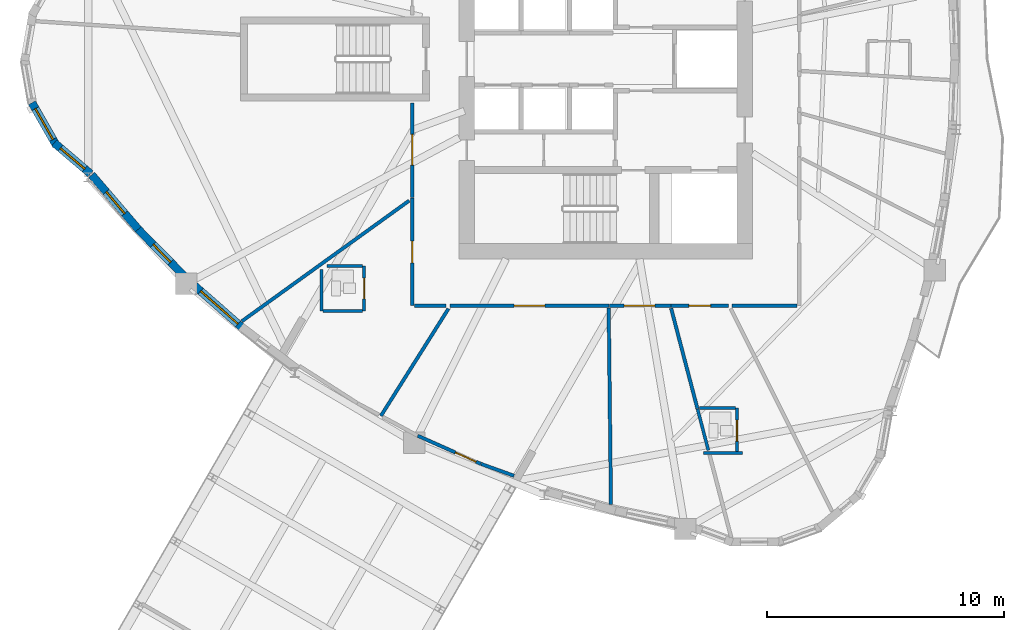
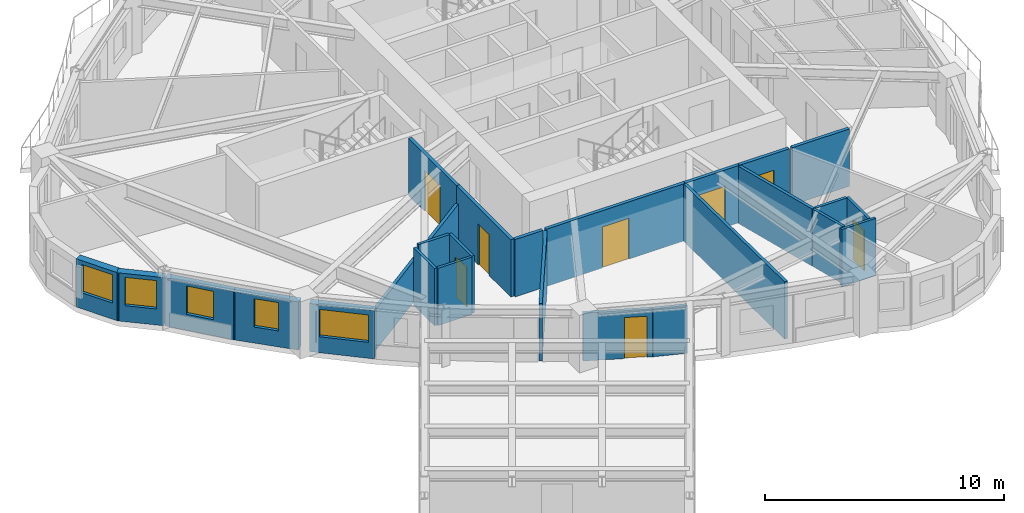
# One storey, part 5 of 17: 26 walls, 8 doors, 5 windows, 13 openings.
"""IFC4 building model written with IfcOpenShell, lengths in metres."""

from ifc_helpers import new_model, si_unit, direction, frame, frame_2d, origin, place, context, subcontext, project, spatial, rectangle, extrude, source, transform, mapped, material, layer, layer_set, type_object, element, fill, save


model = new_model("IFC4")

# Units and contexts
model_context = context("Model", 3, precision=1e-05, world=origin(), true_north=direction((0.0, 1.0)))
body_context = subcontext(model_context, "Body", "Model", "MODEL_VIEW")
ifc_project = project(units=[si_unit("LENGTHUNIT", "METRE"), si_unit("AREAUNIT", "SQUARE_METRE"), si_unit("VOLUMEUNIT", "CUBIC_METRE"), si_unit("PLANEANGLEUNIT", "RADIAN"), si_unit("MASSUNIT", "GRAM", prefix="KILO")], contexts=[model_context])

# Site, building, storey
site_placement = place(None, origin())
site = spatial("IfcSite", under=ifc_project, at=site_placement, CompositionType="ELEMENT")
building_placement = place(site_placement, origin())
building = spatial("IfcBuilding", under=site, at=building_placement, Name="Qafzar Sky-Pleat Residences", CompositionType="ELEMENT")
storey_placement = place(building_placement, frame((0.0, 0.0, 112.0)))
storey = spatial("IfcBuildingStorey", under=building, at=storey_placement, Name="L33", CompositionType="ELEMENT", Elevation=112.0)

# Wall, opening, door
ifc_material_1 = material(Name="Acoustic gypsum plasterboard partition", Category="gypsum")
ifc_layer_1 = layer(ifc_material_1, 0.159912109375)
ifc_layer_set_1 = layer_set([ifc_layer_1], Name="Acoustic gypsum plasterboard partition")
wall_type_1 = type_object("IfcWallType", Name="PART-COR-160", PredefinedType="PARTITIONING", material=ifc_layer_set_1)
wall_1_placement = place(storey_placement, frame((30.486083984375, 15.570068359375, 0.0), z_axis=(0.0, 0.0, 1.0), x_axis=(-1.0, 0.0, 0.0)))
wall_1 = element("IfcWall", 1, at=wall_1_placement, inside=storey, type_object=wall_type_1, Name="L33 Partition Wall PART-L33-PW-002", PredefinedType="PARTITIONING", context=body_context, shape_type="SweptSolid", body=[
    extrude(rectangle(XDim=6.72509765625, YDim=0.159912109375, at=frame_2d((3.362548828125, 0.0))), origin(), (0.0, 0.0, 1.0), 2.93505859375),
])
opening_1_placement = place(wall_1_placement, frame((2.71142578125, 0.0, 0.0)))
opening_1 = element("IfcOpeningElement", 2, at=opening_1_placement, cuts=wall_1, Name="Opening ID-05", PredefinedType="OPENING", context=body_context, shape_type="SweptSolid", body=[
    extrude(rectangle(XDim=1.300048828125, YDim=2.10009765625, at=frame_2d((0.64990234375, 1.050048828125))), frame((0.0, 0.08984375, 0.0), z_axis=(0.0, -1.0, 0.0), x_axis=(1.0, 0.0, 0.0)), (0.0, 0.0, 1.0), 0.179931640625),
])
ifc_material_2 = material(Name="Timber-faced fire door", Category="wood")
door_type_1 = type_object("IfcDoorType", Name="DR-LNG-1300", OperationType="DOUBLE_DOOR_SINGLE_SWING", PredefinedType="DOOR", material=ifc_material_2)
shared_shape_1 = source(origin(), body_context, "Body", "SweptSolid", [
    extrude(rectangle(XDim=1.300048828125, YDim=2.10009765625, at=frame_2d((0.64990234375, 1.050048828125))), frame((0.0, 0.02490234375, 0.0), z_axis=(0.0, -1.0, 0.0), x_axis=(1.0, 0.0, 0.0)), (0.0, 0.0, 1.0), 0.050048828125),
])
door_1_placement = place(opening_1_placement, origin())
door_1 = element("IfcDoor", 3, at=door_1_placement, inside=storey, type_object=door_type_1, Name="L33 Co-Living Lounge Door", OperationType="DOUBLE_DOOR_SINGLE_SWING", OverallHeight=2.10009765625, OverallWidth=1.300048828125, PredefinedType="DOOR", context=body_context, shape_type="MappedRepresentation", body=[
    mapped(shared_shape_1, transform((0.0, 0.0, 0.0), x_axis=(1.0, 0.0, 0.0), y_axis=(0.0, 1.0, 0.0), z_axis=(0.0, 0.0, 1.0), scale=1.0)),
])
fill(opening_1, door_1)

wall_2_placement = place(storey_placement, frame((22.169921875, 15.570068359375, 0.0), z_axis=(0.0, 0.0, 1.0), x_axis=(0.0, 1.0, 0.0)))
wall_2 = element("IfcWall", 4, at=wall_2_placement, inside=storey, type_object=wall_type_1, Name="L33 Partition Wall PART-L33-PW-005", PredefinedType="PARTITIONING", context=body_context, shape_type="SweptSolid", body=[
    extrude(rectangle(XDim=4.554931640625, YDim=0.159912109375, at=frame_2d((2.27734375, 0.0))), origin(), (0.0, 0.0, 1.0), 2.93505859375),
])
opening_2_placement = place(wall_2_placement, frame((1.80810546875, 0.0, 0.0)))
opening_2 = element("IfcOpeningElement", 5, at=opening_2_placement, cuts=wall_2, Name="Opening ID-04", PredefinedType="OPENING", context=body_context, shape_type="SweptSolid", body=[
    extrude(rectangle(XDim=0.919921875, YDim=2.10009765625, at=frame_2d((0.4599609375, 1.050048828125))), frame((0.0, 0.08984375, 0.0), z_axis=(0.0, -1.0, 0.0), x_axis=(1.0, 0.0, 0.0)), (0.0, 0.0, 1.0), 0.179931640625),
])
door_type_2 = type_object("IfcDoorType", Name="DR-BED-920", OperationType="NOTDEFINED", PredefinedType="DOOR", material=ifc_material_2)
shared_shape_2 = source(origin(), body_context, "Body", "SweptSolid", [
    extrude(rectangle(XDim=0.919921875, YDim=2.10009765625, at=frame_2d((0.4599609375, 1.050048828125))), frame((0.0, 0.02490234375, 0.0), z_axis=(0.0, -1.0, 0.0), x_axis=(1.0, 0.0, 0.0)), (0.0, 0.0, 1.0), 0.050048828125),
])
door_2_placement = place(opening_2_placement, origin())
door_2 = element("IfcDoor", 6, at=door_2_placement, inside=storey, type_object=door_type_2, Name="L33 Co-Living Bedroom 7 Door", OperationType="SINGLE_SWING_RIGHT", OverallHeight=2.10009765625, OverallWidth=0.919921875, PredefinedType="DOOR", context=body_context, shape_type="MappedRepresentation", body=[
    mapped(shared_shape_2, transform((0.0, 0.0, 0.0), x_axis=(1.0, 0.0, 0.0), y_axis=(0.0, 1.0, 0.0), z_axis=(0.0, 0.0, 1.0), scale=1.0)),
])
fill(opening_2, door_2)

wall_3_placement = place(storey_placement, frame((22.169921875, 20.139892578125, 0.0), z_axis=(0.0, 0.0, 1.0), x_axis=(0.0, 1.0, 0.0)))
wall_3 = element("IfcWall", 7, at=wall_3_placement, inside=storey, type_object=wall_type_1, Name="L33 Partition Wall PART-L33-PW-006", PredefinedType="PARTITIONING", context=body_context, shape_type="SweptSolid", body=[
    extrude(rectangle(XDim=4.010009765625, YDim=0.159912109375, at=frame_2d((2.0048828125, 0.0))), origin(), (0.0, 0.0, 1.0), 2.93505859375),
])
opening_3_placement = place(wall_3_placement, frame((1.37548828125, 0.0, 0.0)))
opening_3 = element("IfcOpeningElement", 8, at=opening_3_placement, cuts=wall_3, Name="Opening ID-05", PredefinedType="OPENING", context=body_context, shape_type="SweptSolid", body=[
    extrude(rectangle(XDim=1.300048828125, YDim=2.10009765625, at=frame_2d((0.64990234375, 1.050048828125))), frame((0.0, 0.08984375, 0.0), z_axis=(0.0, -1.0, 0.0), x_axis=(1.0, 0.0, 0.0)), (0.0, 0.0, 1.0), 0.179931640625),
])
door_3_placement = place(opening_3_placement, origin())
door_3 = element("IfcDoor", 9, at=door_3_placement, inside=storey, type_object=door_type_1, Name="L33 Academic Seminar Room Door", OperationType="DOUBLE_DOOR_SINGLE_SWING", OverallHeight=2.10009765625, OverallWidth=1.300048828125, PredefinedType="DOOR", context=body_context, shape_type="MappedRepresentation", body=[
    mapped(shared_shape_1, transform((0.0, 0.0, 0.0), x_axis=(1.0, 0.0, 0.0), y_axis=(0.0, 1.0, 0.0), z_axis=(0.0, 0.0, 1.0), scale=1.0)),
])
fill(opening_3, door_3)

wall_4_placement = place(storey_placement, frame((33.09912109375, 15.570068359375, 0.0), z_axis=(0.0, 0.0, 1.0), x_axis=(-1.0, 0.0, 0.0)))
wall_4 = element("IfcWall", 10, at=wall_4_placement, inside=storey, type_object=wall_type_1, Name="L33 Partition Wall PART-L33-PW-010", PredefinedType="PARTITIONING", context=body_context, shape_type="SweptSolid", body=[
    extrude(rectangle(XDim=2.59814453125, YDim=0.159912109375, at=frame_2d((1.299072265625, 0.0))), origin(), (0.0, 0.0, 1.0), 2.93505859375),
])
opening_4_placement = place(wall_4_placement, frame((0.67138671875, 0.0, 0.0)))
opening_4 = element("IfcOpeningElement", 11, at=opening_4_placement, cuts=wall_4, Name="Opening ID-05", PredefinedType="OPENING", context=body_context, shape_type="SweptSolid", body=[
    extrude(rectangle(XDim=1.300048828125, YDim=2.10009765625, at=frame_2d((0.64990234375, 1.050048828125))), frame((0.0, 0.08984375, 0.0), z_axis=(0.0, -1.0, 0.0), x_axis=(1.0, 0.0, 0.0)), (0.0, 0.0, 1.0), 0.179931640625),
])
door_4_placement = place(opening_4_placement, origin())
door_4 = element("IfcDoor", 12, at=door_4_placement, inside=storey, type_object=door_type_1, Name="L33 Communal Kitchen Door", OperationType="DOUBLE_DOOR_SINGLE_SWING", OverallHeight=2.10009765625, OverallWidth=1.300048828125, PredefinedType="DOOR", context=body_context, shape_type="MappedRepresentation", body=[
    mapped(shared_shape_1, transform((0.0, 0.0, 0.0), x_axis=(1.0, 0.0, 0.0), y_axis=(0.0, 1.0, 0.0), z_axis=(0.0, 0.0, 1.0), scale=1.0)),
])
fill(opening_4, door_4)

wall_5_placement = place(storey_placement, frame((35.535888671875, 15.570068359375, 0.0), z_axis=(0.0, 0.0, 1.0), x_axis=(-1.0, 0.0, 0.0)))
wall_5 = element("IfcWall", 13, at=wall_5_placement, inside=storey, type_object=wall_type_1, Name="L33 Partition Wall PART-L33-PW-013", PredefinedType="PARTITIONING", context=body_context, shape_type="SweptSolid", body=[
    extrude(rectangle(XDim=2.421875, YDim=0.159912109375, at=frame_2d((1.2109375, 0.0))), origin(), (0.0, 0.0, 1.0), 2.93505859375),
])
opening_5_placement = place(wall_5_placement, frame((0.75, 0.0, 0.0)))
opening_5 = element("IfcOpeningElement", 14, at=opening_5_placement, cuts=wall_5, Name="Opening ID-04", PredefinedType="OPENING", context=body_context, shape_type="SweptSolid", body=[
    extrude(rectangle(XDim=0.919921875, YDim=2.10009765625, at=frame_2d((0.4599609375, 1.050048828125))), frame((0.0, 0.08984375, 0.0), z_axis=(0.0, -1.0, 0.0), x_axis=(1.0, 0.0, 0.0)), (0.0, 0.0, 1.0), 0.179931640625),
])
door_5_placement = place(opening_5_placement, origin())
door_5 = element("IfcDoor", 15, at=door_5_placement, inside=storey, type_object=door_type_2, Name="L33 Co-Living Bedroom 8 Door", OperationType="SINGLE_SWING_RIGHT", OverallHeight=2.10009765625, OverallWidth=0.919921875, PredefinedType="DOOR", context=body_context, shape_type="MappedRepresentation", body=[
    mapped(shared_shape_2, transform((0.0, 0.0, 0.0), x_axis=(1.0, 0.0, 0.0), y_axis=(0.0, 1.0, 0.0), z_axis=(0.0, 0.0, 1.0), scale=1.0)),
])
fill(opening_5, door_5)

# Walls
wall_6_placement = place(storey_placement, frame((35.68017578125, 15.570068359375, 0.0), z_axis=(0.0, 0.0, 1.0), x_axis=(1.0, 0.0, 0.0)))
element("IfcWall", 16, at=wall_6_placement, inside=storey, type_object=wall_type_1, Name="L33 Partition Wall PART-L33-PW-051", PredefinedType="PARTITIONING", context=body_context, shape_type="SweptSolid", body=[
    extrude(rectangle(XDim=2.76171875, YDim=0.159912109375, at=frame_2d((1.380859375, 0.0))), origin(), (0.0, 0.0, 1.0), 2.93505859375),
])
wall_7_placement = place(storey_placement, frame((22.258056640625, 15.570068359375, 0.0), z_axis=(0.0, 0.0, 1.0), x_axis=(1.0, 0.0, 0.0)))
element("IfcWall", 17, at=wall_7_placement, inside=storey, type_object=wall_type_1, Name="L33 Partition Wall PART-L33-PW-070", PredefinedType="PARTITIONING", context=body_context, shape_type="SweptSolid", body=[
    extrude(rectangle(XDim=1.34375, YDim=0.159912109375, at=frame_2d((0.671875, 0.0))), origin(), (0.0, 0.0, 1.0), 2.93505859375),
])

# Wall, opening, door
ifc_layer_2 = layer(ifc_material_1, 0.14501953125)
ifc_layer_set_2 = layer_set([ifc_layer_2], Name="Acoustic gypsum plasterboard partition")
wall_type_2 = type_object("IfcWallType", Name="PART-UNIT-145", PredefinedType="PARTITIONING", material=ifc_layer_set_2)
wall_8_placement = place(storey_placement, frame((25.071044921875, 8.884033203125, 0.0), z_axis=(0.0, 0.0, 1.0), x_axis=(-0.913404708383, 0.407052623997, 0.0)))
wall_8 = element("IfcWall", 18, at=wall_8_placement, inside=storey, type_object=wall_type_2, Name="L33 Partition Wall PART-L33-PW-008", PredefinedType="PARTITIONING", context=body_context, shape_type="SweptSolid", body=[
    extrude(rectangle(XDim=2.92333984375, YDim=0.14501953125, at=frame_2d((1.461669921875, 0.0))), origin(), (0.0, 0.0, 1.0), 2.452880859375),
])
opening_6_placement = place(wall_8_placement, frame((0.219970703125, 0.0, 0.0)))
opening_6 = element("IfcOpeningElement", 19, at=opening_6_placement, cuts=wall_8, Name="Opening ID-06", PredefinedType="OPENING", context=body_context, shape_type="SweptSolid", body=[
    extrude(rectangle(XDim=0.9599609375, YDim=2.10009765625, at=frame_2d((0.47998046875, 1.050048828125))), frame((0.0, 0.08251953125, 0.0), z_axis=(0.0, -1.0, 0.0), x_axis=(1.0, 0.0, 0.0)), (0.0, 0.0, 1.0), 0.1650390625),
])
door_type_3 = type_object("IfcDoorType", Name="DR-STD-960", OperationType="NOTDEFINED", PredefinedType="DOOR", material=ifc_material_2)
shared_shape_3 = source(origin(), body_context, "Body", "SweptSolid", [
    extrude(rectangle(XDim=0.9599609375, YDim=2.10009765625, at=frame_2d((0.47998046875, 1.050048828125))), frame((0.0, 0.02490234375, 0.0), z_axis=(0.0, -1.0, 0.0), x_axis=(1.0, 0.0, 0.0)), (0.0, 0.0, 1.0), 0.050048828125),
])
door_6_placement = place(opening_6_placement, origin())
door_6 = element("IfcDoor", 20, at=door_6_placement, inside=storey, type_object=door_type_3, Name="L33 Sky-Bar Reading Library Door", OperationType="SINGLE_SWING_RIGHT", OverallHeight=2.10009765625, OverallWidth=0.9599609375, PredefinedType="DOOR", context=body_context, shape_type="MappedRepresentation", body=[
    mapped(shared_shape_3, transform((0.0, 0.0, 0.0), x_axis=(1.0, 0.0, 0.0), y_axis=(0.0, 1.0, 0.0), z_axis=(0.0, 0.0, 1.0), scale=1.0)),
])
fill(opening_6, door_6)

# Walls
wall_9_placement = place(storey_placement, frame((14.96630859375, 14.915283203125, 0.0), z_axis=(0.0, 0.0, 1.0), x_axis=(0.811310715309, 0.584615192434, 0.0)))
element("IfcWall", 21, at=wall_9_placement, inside=storey, type_object=wall_type_2, Name="L33 Partition Wall PART-L33-PW-036", PredefinedType="PARTITIONING", context=body_context, shape_type="SweptSolid", body=[
    extrude(rectangle(XDim=8.72021484375, YDim=0.14501953125, at=frame_2d((4.360107421875, 0.0))), origin(), (0.0, 0.0, 1.0), 2.10302734375),
])
wall_10_placement = place(storey_placement, frame((30.471923828125, 15.481201171875, 0.0), z_axis=(0.0, 0.0, 1.0), x_axis=(0.011623708307, -0.999932442421, 0.0)))
element("IfcWall", 22, at=wall_10_placement, inside=storey, type_object=wall_type_2, Name="L33 Partition Wall PART-L33-PW-038", PredefinedType="PARTITIONING", context=body_context, shape_type="SweptSolid", body=[
    extrude(rectangle(XDim=8.3173828125, YDim=0.14501953125, at=frame_2d((4.15869140625, 0.0))), origin(), (0.0, 0.0, 1.0), 2.93505859375),
])
wall_11_placement = place(storey_placement, frame((20.844970703125, 10.9140625, 0.0), z_axis=(0.0, 0.0, 1.0), x_axis=(0.533007953382, 0.846110230189, 0.0)))
element("IfcWall", 23, at=wall_11_placement, inside=storey, type_object=wall_type_2, Name="L33 Partition Wall PART-L33-PW-044", PredefinedType="PARTITIONING", context=body_context, shape_type="SweptSolid", body=[
    extrude(rectangle(XDim=5.3544921875, YDim=0.14501953125, at=frame_2d((2.67724609375, 0.0))), origin(), (0.0, 0.0, 1.0), 2.93505859375),
])
wall_12_placement = place(storey_placement, frame((33.11181640625, 15.4638671875, 0.0), z_axis=(0.0, 0.0, 1.0), x_axis=(0.253558008984, -0.967320182814, 0.0)))
element("IfcWall", 24, at=wall_12_placement, inside=storey, type_object=wall_type_2, Name="L33 Partition Wall PART-L33-PW-045", PredefinedType="PARTITIONING", context=body_context, shape_type="SweptSolid", body=[
    extrude(rectangle(XDim=4.382080078125, YDim=0.14501953125, at=frame_2d((2.19091796875, 0.0))), origin(), (0.0, 0.0, 1.0), 2.93505859375),
])
wall_13_placement = place(storey_placement, frame((25.085205078125, 8.87890625, 0.0), z_axis=(0.0, 0.0, 1.0), x_axis=(0.941166260093, -0.337943887151, 0.0)))
element("IfcWall", 25, at=wall_13_placement, inside=storey, type_object=wall_type_2, Name="L33 Partition Wall PART-L33-PW-076", PredefinedType="PARTITIONING", context=body_context, shape_type="SweptSolid", body=[
    extrude(rectangle(XDim=1.4716796875, YDim=0.14501953125, at=frame_2d((0.73583984375, 0.0))), origin(), (0.0, 0.0, 1.0), 2.452880859375),
])

# Wall, opening, door
ifc_material_3 = material(Name="Moisture-resistant gypsum partition", Category="gypsum")
ifc_layer_3 = layer(ifc_material_3, 0.1298828125)
ifc_layer_set_3 = layer_set([ifc_layer_3], Name="Moisture-resistant gypsum partition")
wall_type_3 = type_object("IfcWallType", Name="PART-WET-130", PredefinedType="PARTITIONING", material=ifc_layer_set_3)
wall_14_placement = place(storey_placement, frame((20.133056640625, 15.35107421875, 0.0), z_axis=(0.0, 0.0, 1.0), x_axis=(0.0, 1.0, 0.0)))
wall_14 = element("IfcWall", 26, at=wall_14_placement, inside=storey, type_object=wall_type_3, Name="L33 Partition Wall PART-L33-PW-020", PredefinedType="PARTITIONING", context=body_context, shape_type="SweptSolid", body=[
    extrude(rectangle(XDim=1.89990234375, YDim=0.1298828125, at=frame_2d((0.949951171875, 0.0))), origin(), (0.0, 0.0, 1.0), 2.93505859375),
])
opening_7_placement = place(wall_14_placement, frame((0.510009765625, 0.0, 0.0)))
opening_7 = element("IfcOpeningElement", 27, at=opening_7_placement, cuts=wall_14, Name="Opening ID-07", PredefinedType="OPENING", context=body_context, shape_type="SweptSolid", body=[
    extrude(rectangle(XDim=0.8798828125, YDim=2.050048828125, at=frame_2d((0.43994140625, 1.02490234375))), frame((0.0, 0.074951171875, 0.0), z_axis=(0.0, -1.0, 0.0), x_axis=(1.0, 0.0, 0.0)), (0.0, 0.0, 1.0), 0.14990234375),
])
door_type_4 = type_object("IfcDoorType", Name="DR-WET-880", OperationType="NOTDEFINED", PredefinedType="DOOR", material=ifc_material_2)
shared_shape_4 = source(origin(), body_context, "Body", "SweptSolid", [
    extrude(rectangle(XDim=0.8798828125, YDim=2.050048828125, at=frame_2d((0.43994140625, 1.02490234375))), frame((0.0, 0.02490234375, 0.0), z_axis=(0.0, -1.0, 0.0), x_axis=(1.0, 0.0, 0.0)), (0.0, 0.0, 1.0), 0.050048828125),
])
door_7_placement = place(opening_7_placement, origin())
door_7 = element("IfcDoor", 28, at=door_7_placement, inside=storey, type_object=door_type_4, Name="L33 En-suite Bathroom 7 Door", OperationType="SINGLE_SWING_RIGHT", OverallHeight=2.050048828125, OverallWidth=0.8798828125, PredefinedType="DOOR", context=body_context, shape_type="MappedRepresentation", body=[
    mapped(shared_shape_4, transform((0.0, 0.0, 0.0), x_axis=(1.0, 0.0, 0.0), y_axis=(0.0, 1.0, 0.0), z_axis=(0.0, 0.0, 1.0), scale=1.0)),
])
fill(opening_7, door_7)

wall_15_placement = place(storey_placement, frame((35.89892578125, 9.4130859375, 0.0), z_axis=(0.0, 0.0, 1.0), x_axis=(0.0, 1.0, 0.0)))
wall_15 = element("IfcWall", 29, at=wall_15_placement, inside=storey, type_object=wall_type_3, Name="L33 Partition Wall PART-L33-PW-021", PredefinedType="PARTITIONING", context=body_context, shape_type="SweptSolid", body=[
    extrude(rectangle(XDim=1.826904296875, YDim=0.1298828125, at=frame_2d((0.91357421875, 0.0))), origin(), (0.0, 0.0, 1.0), 2.93505859375),
])
opening_8_placement = place(wall_15_placement, frame((0.43701171875, 0.0, 0.0)))
opening_8 = element("IfcOpeningElement", 30, at=opening_8_placement, cuts=wall_15, Name="Opening ID-07", PredefinedType="OPENING", context=body_context, shape_type="SweptSolid", body=[
    extrude(rectangle(XDim=0.8798828125, YDim=2.050048828125, at=frame_2d((0.43994140625, 1.02490234375))), frame((0.0, 0.074951171875, 0.0), z_axis=(0.0, -1.0, 0.0), x_axis=(1.0, 0.0, 0.0)), (0.0, 0.0, 1.0), 0.14990234375),
])
door_8_placement = place(opening_8_placement, origin())
door_8 = element("IfcDoor", 31, at=door_8_placement, inside=storey, type_object=door_type_4, Name="L33 En-suite Bathroom 8 Door", OperationType="SINGLE_SWING_LEFT", OverallHeight=2.050048828125, OverallWidth=0.8798828125, PredefinedType="DOOR", context=body_context, shape_type="MappedRepresentation", body=[
    mapped(shared_shape_4, transform((0.0, 0.0, 0.0), x_axis=(1.0, 0.0, 0.0), y_axis=(0.0, 1.0, 0.0), z_axis=(0.0, 0.0, 1.0), scale=1.0)),
])
fill(opening_8, door_8)

# Walls
wall_16_placement = place(storey_placement, frame((34.226806640625, 11.21044921875, 0.0), z_axis=(0.0, 0.0, 1.0), x_axis=(0.2534645297, -0.967344681168, 0.0)))
element("IfcWall", 32, at=wall_16_placement, inside=storey, type_object=wall_type_3, Name="L33 Partition Wall PART-L33-PW-055", PredefinedType="PARTITIONING", context=body_context, shape_type="SweptSolid", body=[
    extrude(rectangle(XDim=1.810791015625, YDim=0.1298828125, at=frame_2d((0.9052734375, 0.0))), origin(), (0.0, 0.0, 1.0), 2.93505859375),
])
wall_17_placement = place(storey_placement, frame((18.3330078125, 15.35107421875, 0.0), z_axis=(0.0, 0.0, 1.0), x_axis=(0.0, 1.0, 0.0)))
element("IfcWall", 33, at=wall_17_placement, inside=storey, type_object=wall_type_3, Name="L33 Partition Wall PART-L33-PW-056", PredefinedType="PARTITIONING", context=body_context, shape_type="SweptSolid", body=[
    extrude(rectangle(XDim=1.755615234375, YDim=0.1298828125, at=frame_2d((0.8779296875, 0.0))), origin(), (0.0, 0.0, 1.0), 2.93505859375),
])
wall_18_placement = place(storey_placement, frame((18.55517578125, 17.2509765625, 0.0), z_axis=(0.0, 0.0, 1.0), x_axis=(1.0, 0.0, 0.0)))
element("IfcWall", 34, at=wall_18_placement, inside=storey, type_object=wall_type_3, Name="L33 Partition Wall PART-L33-PW-059", PredefinedType="PARTITIONING", context=body_context, shape_type="SweptSolid", body=[
    extrude(rectangle(XDim=1.5048828125, YDim=0.1298828125, at=frame_2d((0.75244140625, 0.0))), origin(), (0.0, 0.0, 1.0), 2.93505859375),
])
wall_19_placement = place(storey_placement, frame((18.406005859375, 15.35107421875, 0.0), z_axis=(0.0, 0.0, 1.0), x_axis=(1.0, 0.0, 0.0)))
element("IfcWall", 35, at=wall_19_placement, inside=storey, type_object=wall_type_3, Name="L33 Partition Wall PART-L33-PW-060", PredefinedType="PARTITIONING", context=body_context, shape_type="SweptSolid", body=[
    extrude(rectangle(XDim=1.654052734375, YDim=0.1298828125, at=frame_2d((0.8271484375, 0.0))), origin(), (0.0, 0.0, 1.0), 2.93505859375),
])
wall_20_placement = place(storey_placement, frame((34.319091796875, 11.239990234375, 0.0), z_axis=(0.0, 0.0, 1.0), x_axis=(1.0, 0.0, 0.0)))
element("IfcWall", 36, at=wall_20_placement, inside=storey, type_object=wall_type_3, Name="L33 Partition Wall PART-L33-PW-069", PredefinedType="PARTITIONING", context=body_context, shape_type="SweptSolid", body=[
    extrude(rectangle(XDim=1.5068359375, YDim=0.1298828125, at=frame_2d((0.75341796875, 0.0))), origin(), (0.0, 0.0, 1.0), 2.93505859375),
])
wall_21_placement = place(storey_placement, frame((34.47705078125, 9.340087890625, 0.0), z_axis=(0.0, 0.0, 1.0), x_axis=(1.0, 0.0, 0.0)))
element("IfcWall", 37, at=wall_21_placement, inside=storey, type_object=wall_type_3, Name="L33 Partition Wall PART-L33-PW-083", PredefinedType="PARTITIONING", context=body_context, shape_type="SweptSolid", body=[
    extrude(rectangle(XDim=1.661865234375, YDim=0.1298828125, at=frame_2d((0.8310546875, 0.0))), origin(), (0.0, 0.0, 1.0), 2.93505859375),
])

# Wall, opening, window
ifc_material_4 = material(Name="Precast concrete C40/50 with honed Riyadh limestone", Category="concrete")
ifc_layer_4 = layer(ifc_material_4, 0.340087890625)
ifc_layer_set_4 = layer_set([ifc_layer_4], Name="Precast concrete C40/50 with honed Riyadh limestone")
wall_type_4 = type_object("IfcWallType", Name="WALL-EXT-340", PredefinedType="SOLIDWALL", material=ifc_layer_set_4)
wall_22_placement = place(storey_placement, frame((6.09228515625, 24.150146484375, 0.0), z_axis=(0.0, 0.0, 1.0), x_axis=(0.496037473582, -0.868301114132, 0.0)))
wall_22 = element("IfcWall", 38, at=wall_22_placement, inside=storey, type_object=wall_type_4, Name="L33 Limestone Facade Wall 5", PredefinedType="SOLIDWALL", context=body_context, shape_type="SweptSolid", body=[
    extrude(rectangle(XDim=2.072998046875, YDim=0.340087890625, at=frame_2d((1.03662109375, 0.0))), origin(), (0.0, 0.0, 1.0), 2.465087890625),
])
opening_9_placement = place(wall_22_placement, frame((0.28662109375, 0.0, 0.820068359375)))
opening_9 = element("IfcOpeningElement", 39, at=opening_9_placement, cuts=wall_22, Name="Opening WN-03", PredefinedType="OPENING", context=body_context, shape_type="SweptSolid", body=[
    extrude(rectangle(XDim=1.5, YDim=1.449951171875, at=frame_2d((0.75, 0.72509765625))), frame((0.0, 0.18017578125, 0.0), z_axis=(0.0, -1.0, 0.0), x_axis=(1.0, 0.0, 0.0)), (0.0, 0.0, 1.0), 0.360107421875),
])
ifc_material_5 = material(Name="Solar-control low-E glass in bronze aluminium frame", Category="glass")
window_type_1 = type_object("IfcWindowType", Name="WIN-03", PartitioningType="DOUBLE_PANEL_VERTICAL", PredefinedType="WINDOW", material=ifc_material_5)
shared_shape_5 = source(origin(), body_context, "Body", "SweptSolid", [
    extrude(rectangle(XDim=1.5, YDim=1.449951171875, at=frame_2d((0.75, 0.72509765625))), frame((0.0, 0.030029296875, 0.0), z_axis=(0.0, -1.0, 0.0), x_axis=(1.0, 0.0, 0.0)), (0.0, 0.0, 1.0), 0.06005859375),
])
window_1_placement = place(opening_9_placement, origin())
window_1 = element("IfcWindow", 40, at=window_1_placement, inside=storey, type_object=window_type_1, Name="L33 Punched Facade Window 05", OverallHeight=1.449951171875, OverallWidth=1.5, PartitioningType="SINGLE_PANEL", PredefinedType="WINDOW", context=body_context, shape_type="MappedRepresentation", body=[
    mapped(shared_shape_5, transform((0.0, 0.0, 0.0), x_axis=(1.0, 0.0, 0.0), y_axis=(0.0, 1.0, 0.0), z_axis=(0.0, 0.0, 1.0), scale=1.0)),
])
fill(opening_9, window_1)

wall_23_placement = place(storey_placement, frame((7.035400390625, 22.452880859375, 0.0), z_axis=(0.0, 0.0, 1.0), x_axis=(0.76114353683, -0.648583469063, 0.0)))
wall_23 = element("IfcWall", 41, at=wall_23_placement, inside=storey, type_object=wall_type_4, Name="L33 Limestone Facade Wall 6", PredefinedType="SOLIDWALL", context=body_context, shape_type="SweptSolid", body=[
    extrude(rectangle(XDim=2.014892578125, YDim=0.340087890625, at=frame_2d((1.00732421875, 0.0))), origin(), (0.0, 0.0, 1.0), 2.465087890625),
])
opening_10_placement = place(wall_23_placement, frame((0.342529296875, 0.0, 0.820068359375)))
opening_10 = element("IfcOpeningElement", 42, at=opening_10_placement, cuts=wall_23, Name="Opening WN-04", PredefinedType="OPENING", context=body_context, shape_type="SweptSolid", body=[
    extrude(rectangle(XDim=1.35009765625, YDim=1.449951171875, at=frame_2d((0.675048828125, 0.72509765625))), frame((0.0, 0.18017578125, 0.0), z_axis=(0.0, -1.0, 0.0), x_axis=(1.0, 0.0, 0.0)), (0.0, 0.0, 1.0), 0.360107421875),
])
window_type_2 = type_object("IfcWindowType", Name="WIN-04", PartitioningType="SINGLE_PANEL", PredefinedType="WINDOW", material=ifc_material_5)
shared_shape_6 = source(origin(), body_context, "Body", "SweptSolid", [
    extrude(rectangle(XDim=1.35009765625, YDim=1.449951171875, at=frame_2d((0.675048828125, 0.72509765625))), frame((0.0, 0.030029296875, 0.0), z_axis=(0.0, -1.0, 0.0), x_axis=(1.0, 0.0, 0.0)), (0.0, 0.0, 1.0), 0.06005859375),
])
window_2_placement = place(opening_10_placement, origin())
window_2 = element("IfcWindow", 43, at=window_2_placement, inside=storey, type_object=window_type_2, Name="L33 Punched Facade Window 06", OverallHeight=1.449951171875, OverallWidth=1.35009765625, PartitioningType="SINGLE_PANEL", PredefinedType="WINDOW", context=body_context, shape_type="MappedRepresentation", body=[
    mapped(shared_shape_6, transform((0.0, 0.0, 0.0), x_axis=(1.0, 0.0, 0.0), y_axis=(0.0, 1.0, 0.0), z_axis=(0.0, 0.0, 1.0), scale=1.0)),
])
fill(opening_10, window_2)

wall_24_placement = place(storey_placement, frame((8.6162109375, 21.09912109375, 0.0), z_axis=(0.0, 0.0, 1.0), x_axis=(0.650713874475, -0.759323023203, 0.0)))
wall_24 = element("IfcWall", 44, at=wall_24_placement, inside=storey, type_object=wall_type_4, Name="L33 Limestone Facade Wall 7", PredefinedType="SOLIDWALL", context=body_context, shape_type="SweptSolid", body=[
    extrude(rectangle(XDim=3.11328125, YDim=0.340087890625, at=frame_2d((1.556640625, 0.0))), origin(), (0.0, 0.0, 1.0), 2.465087890625),
])
opening_11_placement = place(wall_24_placement, frame((0.94677734375, 0.0, 0.820068359375)))
opening_11 = element("IfcOpeningElement", 45, at=opening_11_placement, cuts=wall_24, Name="Opening WN-05", PredefinedType="OPENING", context=body_context, shape_type="SweptSolid", body=[
    extrude(rectangle(XDim=1.199951171875, YDim=1.449951171875, at=frame_2d((0.60009765625, 0.72509765625))), frame((0.0, 0.18017578125, 0.0), z_axis=(0.0, -1.0, 0.0), x_axis=(1.0, 0.0, 0.0)), (0.0, 0.0, 1.0), 0.360107421875),
])
window_type_3 = type_object("IfcWindowType", Name="WIN-05", PartitioningType="SINGLE_PANEL", PredefinedType="WINDOW", material=ifc_material_5)
shared_shape_7 = source(origin(), body_context, "Body", "SweptSolid", [
    extrude(rectangle(XDim=1.199951171875, YDim=1.449951171875, at=frame_2d((0.60009765625, 0.72509765625))), frame((0.0, 0.030029296875, 0.0), z_axis=(0.0, -1.0, 0.0), x_axis=(1.0, 0.0, 0.0)), (0.0, 0.0, 1.0), 0.06005859375),
])
window_3_placement = place(opening_11_placement, origin())
window_3 = element("IfcWindow", 46, at=window_3_placement, inside=storey, type_object=window_type_3, Name="L33 Punched Facade Window 07", OverallHeight=1.449951171875, OverallWidth=1.199951171875, PartitioningType="SINGLE_PANEL", PredefinedType="WINDOW", context=body_context, shape_type="MappedRepresentation", body=[
    mapped(shared_shape_7, transform((0.0, 0.0, 0.0), x_axis=(1.0, 0.0, 0.0), y_axis=(0.0, 1.0, 0.0), z_axis=(0.0, 0.0, 1.0), scale=1.0)),
])
fill(opening_11, window_3)

wall_25_placement = place(storey_placement, frame((10.582763671875, 18.7998046875, 0.0), z_axis=(0.0, 0.0, 1.0), x_axis=(0.701884352283, -0.712290920917, 0.0)))
wall_25 = element("IfcWall", 47, at=wall_25_placement, inside=storey, type_object=wall_type_4, Name="L33 Limestone Facade Wall 8", PredefinedType="SOLIDWALL", context=body_context, shape_type="SweptSolid", body=[
    extrude(rectangle(XDim=2.838623046875, YDim=0.340087890625, at=frame_2d((1.41943359375, 0.0))), origin(), (0.0, 0.0, 1.0), 2.465087890625),
])
opening_12_placement = place(wall_25_placement, frame((0.8994140625, 0.0, 0.820068359375)))
opening_12 = element("IfcOpeningElement", 48, at=opening_12_placement, cuts=wall_25, Name="Opening WN-06", PredefinedType="OPENING", context=body_context, shape_type="SweptSolid", body=[
    extrude(rectangle(XDim=1.050048828125, YDim=1.449951171875, at=frame_2d((0.52490234375, 0.72509765625))), frame((0.0, 0.18017578125, 0.0), z_axis=(0.0, -1.0, 0.0), x_axis=(1.0, 0.0, 0.0)), (0.0, 0.0, 1.0), 0.360107421875),
])
window_type_4 = type_object("IfcWindowType", Name="WIN-06", PartitioningType="SINGLE_PANEL", PredefinedType="WINDOW", material=ifc_material_5)
shared_shape_8 = source(origin(), body_context, "Body", "SweptSolid", [
    extrude(rectangle(XDim=1.050048828125, YDim=1.449951171875, at=frame_2d((0.52490234375, 0.72509765625))), frame((0.0, 0.030029296875, 0.0), z_axis=(0.0, -1.0, 0.0), x_axis=(1.0, 0.0, 0.0)), (0.0, 0.0, 1.0), 0.06005859375),
])
window_4_placement = place(opening_12_placement, origin())
window_4 = element("IfcWindow", 49, at=window_4_placement, inside=storey, type_object=window_type_4, Name="L33 Punched Facade Window 08", OverallHeight=1.449951171875, OverallWidth=1.050048828125, PartitioningType="SINGLE_PANEL", PredefinedType="WINDOW", context=body_context, shape_type="MappedRepresentation", body=[
    mapped(shared_shape_8, transform((0.0, 0.0, 0.0), x_axis=(1.0, 0.0, 0.0), y_axis=(0.0, 1.0, 0.0), z_axis=(0.0, 0.0, 1.0), scale=1.0)),
])
fill(opening_12, window_4)

wall_26_placement = place(storey_placement, frame((12.900634765625, 16.470703125, 0.0), z_axis=(0.0, 0.0, 1.0), x_axis=(0.751480442913, -0.659755366722, 0.0)))
wall_26 = element("IfcWall", 50, at=wall_26_placement, inside=storey, type_object=wall_type_4, Name="L33 Limestone Facade Wall 9", PredefinedType="SOLIDWALL", context=body_context, shape_type="SweptSolid", body=[
    extrude(rectangle(XDim=2.789306640625, YDim=0.340087890625, at=frame_2d((1.39453125, 0.0))), origin(), (0.0, 0.0, 1.0), 2.465087890625),
])
opening_13_placement = place(wall_26_placement, frame((0.43017578125, 0.0, 0.820068359375)))
opening_13 = element("IfcOpeningElement", 51, at=opening_13_placement, cuts=wall_26, Name="Opening WN-07", PredefinedType="OPENING", context=body_context, shape_type="SweptSolid", body=[
    extrude(rectangle(XDim=2.10009765625, YDim=1.39990234375, at=frame_2d((1.050048828125, 0.699951171875))), frame((0.0, 0.18017578125, 0.0), z_axis=(0.0, -1.0, 0.0), x_axis=(1.0, 0.0, 0.0)), (0.0, 0.0, 1.0), 0.360107421875),
])
window_type_5 = type_object("IfcWindowType", Name="WIN-07", PartitioningType="DOUBLE_PANEL_VERTICAL", PredefinedType="WINDOW", material=ifc_material_5)
shared_shape_9 = source(origin(), body_context, "Body", "SweptSolid", [
    extrude(rectangle(XDim=2.10009765625, YDim=1.39990234375, at=frame_2d((1.050048828125, 0.699951171875))), frame((0.0, 0.030029296875, 0.0), z_axis=(0.0, -1.0, 0.0), x_axis=(1.0, 0.0, 0.0)), (0.0, 0.0, 1.0), 0.06005859375),
])
window_5_placement = place(opening_13_placement, origin())
window_5 = element("IfcWindow", 52, at=window_5_placement, inside=storey, type_object=window_type_5, Name="L33 Punched Facade Window 09", OverallHeight=1.39990234375, OverallWidth=2.10009765625, PartitioningType="SINGLE_PANEL", PredefinedType="WINDOW", context=body_context, shape_type="MappedRepresentation", body=[
    mapped(shared_shape_9, transform((0.0, 0.0, 0.0), x_axis=(1.0, 0.0, 0.0), y_axis=(0.0, 1.0, 0.0), z_axis=(0.0, 0.0, 1.0), scale=1.0)),
])
fill(opening_13, window_5)

save(model, "model.ifc")
